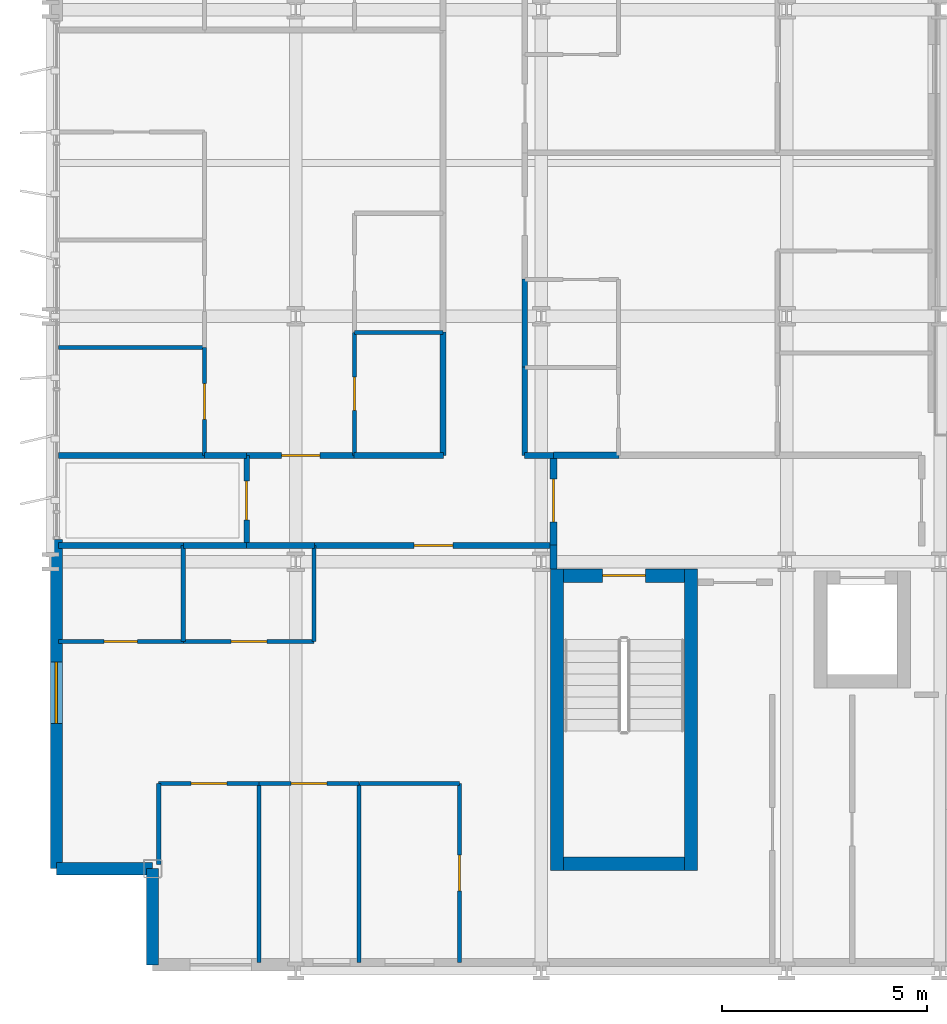
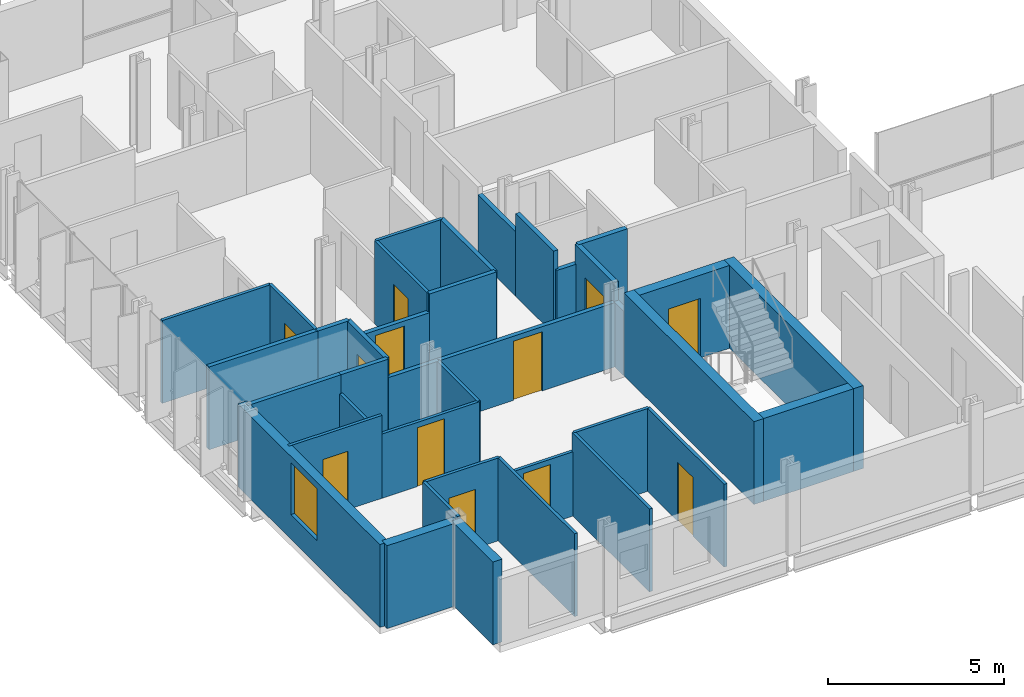
# One storey, part 27 of 38: 38 walls, 12 doors, 1 window, 13 openings.
"""IFC4 building model written with IfcOpenShell, lengths in metres."""

from ifc_helpers import new_model, si_unit, direction, frame, frame_2d, origin, place, context, subcontext, project, spatial, rectangle, extrude, material, layer, layer_set, type_object, element, fill, save


model = new_model("IFC4")

# Units and contexts
model_context = context("Model", 3, precision=1e-05, world=origin(), true_north=direction((0.0, 1.0)))
body_context = subcontext(model_context, "Body", "Model", "MODEL_VIEW")
ifc_project = project(units=[si_unit("LENGTHUNIT", "METRE"), si_unit("AREAUNIT", "SQUARE_METRE"), si_unit("VOLUMEUNIT", "CUBIC_METRE"), si_unit("PLANEANGLEUNIT", "RADIAN"), si_unit("MASSUNIT", "GRAM", prefix="KILO")], contexts=[model_context])

# Site, building, storey
site_placement = place(None, origin())
site = spatial("IfcSite", under=ifc_project, at=site_placement, CompositionType="ELEMENT")
building_placement = place(site_placement, origin())
building = spatial("IfcBuilding", under=site, at=building_placement, Name="Brevholm Reach", CompositionType="ELEMENT")
storey_placement = place(building_placement, frame((0.0, 0.0, 46.60009765625)))
storey = spatial("IfcBuildingStorey", under=building, at=storey_placement, Name="L12", CompositionType="ELEMENT", Elevation=46.60009765625)

# Walls
ifc_material_1 = material(Name="Concrete C60/75", Category="concrete")
ifc_layer_1 = layer(ifc_material_1, 0.320068359375)
ifc_layer_set_1 = layer_set([ifc_layer_1], Name="Concrete C60/75")
wall_type_1 = type_object("IfcWallType", Name="WAL-COR-320", PredefinedType="SHEAR", material=ifc_layer_set_1)
for number, where, z_axis, x_axis, name in (
    (1, (12.389892578125, 2.4599609375, 0.0), (0.0, 0.0, 1.0), (0.0, 1.0, 0.0), "L12 Escape Stair ST-1 Core Wall W"),
    (2, (15.659912109375, 2.4599609375, 0.0), (0.0, 0.0, 1.0), (0.0, 1.0, 0.0), "L12 Escape Stair ST-1 Core Wall E"),
):
    element("IfcWall", number, at=place(storey_placement, frame(where, z_axis=z_axis, x_axis=x_axis)), inside=storey, type_object=wall_type_1, Name=name, PredefinedType="SHEAR", context=body_context, shape_type="SweptSolid", body=[
        extrude(rectangle(XDim=7.360107421875, YDim=0.320068359375, at=frame_2d((3.68017578125, 0.0))), origin(), (0.0, 0.0, 1.0), 2.869873046875),
    ])
wall_1_placement = place(storey_placement, frame((12.550048828125, 2.6201171875, 0.0), z_axis=(0.0, 0.0, 1.0), x_axis=(1.0, 0.0, 0.0)))
element("IfcWall", 3, at=wall_1_placement, inside=storey, type_object=wall_type_1, Name="L12 Escape Stair ST-1 Core Wall S", PredefinedType="SHEAR", context=body_context, shape_type="SweptSolid", body=[
    extrude(rectangle(XDim=2.949951171875, YDim=0.320068359375, at=frame_2d((1.47509765625, 0.0))), origin(), (0.0, 0.0, 1.0), 2.869873046875),
])

# Wall, opening, door
wall_2_placement = place(storey_placement, frame((15.5, 9.659912109375, 0.0), z_axis=(0.0, 0.0, 1.0), x_axis=(-1.0, 0.0, 0.0)))
wall_2 = element("IfcWall", 4, at=wall_2_placement, inside=storey, type_object=wall_type_1, Name="L12 Escape Stair ST-1 Core Wall N", PredefinedType="SHEAR", context=body_context, shape_type="SweptSolid", body=[
    extrude(rectangle(XDim=2.949951171875, YDim=0.320068359375, at=frame_2d((1.47509765625, 0.0))), origin(), (0.0, 0.0, 1.0), 2.869873046875),
])
opening_1_placement = place(wall_2_placement, frame((0.949951171875, 0.0, 0.0)))
opening_1 = element("IfcOpeningElement", 5, at=opening_1_placement, cuts=wall_2, Name="Opening SD-ST-1", PredefinedType="OPENING", context=body_context, shape_type="SweptSolid", body=[
    extrude(rectangle(XDim=1.050048828125, YDim=2.06005859375, at=frame_2d((0.52490234375, 1.030029296875))), frame((0.0, 0.169921875, 0.0), z_axis=(0.0, -1.0, 0.0), x_axis=(1.0, 0.0, 0.0)), (0.0, 0.0, 1.0), 0.340087890625),
])
ifc_material_2 = material(Name="Hardwood-Lipped Steel-Core Fire and Smoke Door", Category="steel")
door_type_1 = type_object("IfcDoorType", Name="DOR-INT-FD60S", OperationType="NOTDEFINED", PredefinedType="DOOR", material=ifc_material_2)
door_1_placement = place(opening_1_placement, origin())
door_1 = element("IfcDoor", 6, at=door_1_placement, inside=storey, type_object=door_type_1, Name="L12 Protected Stair ST-1 Lobby Door", OperationType="SINGLE_SWING_RIGHT", OverallHeight=2.06005859375, OverallWidth=1.050048828125, PredefinedType="DOOR", context=body_context, shape_type="SweptSolid", body=[
    extrude(rectangle(XDim=1.050048828125, YDim=2.06005859375, at=frame_2d((0.52490234375, 1.030029296875))), frame((0.0, 0.02490234375, 0.0), z_axis=(0.0, -1.0, 0.0), x_axis=(1.0, 0.0, 0.0)), (0.0, 0.0, 1.0), 0.050048828125),
])
fill(opening_1, door_1)

# Walls
ifc_material_3 = material(Name="Concrete C40/50", Category="concrete")
ifc_layer_2 = layer(ifc_material_3, 0.300048828125)
ifc_layer_set_2 = layer_set([ifc_layer_2], Name="Concrete C40/50")
wall_type_2 = type_object("IfcWallType", Name="WAL-EXT-300", PredefinedType="STANDARD", material=ifc_layer_set_2)
for number, where, z_axis, x_axis, name in (
    (7, (2.5, 2.5, 0.0), (0.0, 0.0, 1.0), (0.0, -1.0, 0.0), "L12 Facade Wall WAL-L12-CSW1"),
    (8, (0.14990234375, 2.5, 0.0), (0.0, 0.0, 1.0), (1.0, 0.0, 0.0), "L12 Facade Wall WAL-L12-CSW2"),
):
    element("IfcWall", number, at=place(storey_placement, frame(where, z_axis=z_axis, x_axis=x_axis)), inside=storey, type_object=wall_type_2, Name=name, PredefinedType="STANDARD", context=body_context, shape_type="SweptSolid", body=[
        extrude(rectangle(XDim=2.35009765625, YDim=0.300048828125, at=frame_2d((1.175048828125, 0.0))), origin(), (0.0, 0.0, 1.0), 2.869873046875),
    ])

# Wall, opening, window
wall_3_placement = place(storey_placement, frame((0.14990234375, 10.550048828125, 0.0), z_axis=(0.0, 0.0, 1.0), x_axis=(0.0, -1.0, 0.0)))
wall_3 = element("IfcWall", 9, at=wall_3_placement, inside=storey, type_object=wall_type_2, Name="L12 Facade Wall WAL-L12-W-S", PredefinedType="STANDARD", context=body_context, shape_type="SweptSolid", body=[
    extrude(rectangle(XDim=8.050048828125, YDim=0.300048828125, at=frame_2d((4.02490234375, 0.0))), origin(), (0.0, 0.0, 1.0), 2.869873046875),
])
opening_2_placement = place(wall_3_placement, frame((3.0, 0.0, 0.85009765625)))
opening_2 = element("IfcOpeningElement", 10, at=opening_2_placement, cuts=wall_3, Name="Opening WN-05", PredefinedType="OPENING", context=body_context, shape_type="SweptSolid", body=[
    extrude(rectangle(XDim=1.5, YDim=1.800048828125, at=frame_2d((0.75, 0.89990234375))), frame((0.0, 0.159912109375, 0.0), z_axis=(0.0, -1.0, 0.0), x_axis=(1.0, 0.0, 0.0)), (0.0, 0.0, 1.0), 0.320068359375),
])
ifc_material_4 = material(Name="Dark Anodised Aluminium and Solar-Control IGU Glass", Category="aluminium")
window_type = type_object("IfcWindowType", Name="WIN-RES-1500", PartitioningType="SINGLE_PANEL", PredefinedType="WINDOW", material=ifc_material_4)
window_placement = place(opening_2_placement, origin())
window = element("IfcWindow", 11, at=window_placement, inside=storey, type_object=window_type, Name="L12 Window WIN-L12-WS-1", OverallHeight=1.800048828125, OverallWidth=1.5, PartitioningType="SINGLE_PANEL", PredefinedType="WINDOW", context=body_context, shape_type="SweptSolid", body=[
    extrude(rectangle(XDim=1.5, YDim=1.800048828125, at=frame_2d((0.75, 0.89990234375))), frame((0.0, 0.030029296875, 0.0), z_axis=(0.0, -1.0, 0.0), x_axis=(1.0, 0.0, 0.0)), (0.0, 0.0, 1.0), 0.06005859375),
])
fill(opening_2, window)

# Wall
ifc_material_5 = material(Name="Moisture-Resistant Acoustic Gypsum Stud Partition 100 mm", Category="gypsum")
ifc_layer_3 = layer(ifc_material_5, 0.10009765625)
ifc_layer_set_3 = layer_set([ifc_layer_3], Name="Moisture-Resistant Acoustic Gypsum Stud Partition 100 mm")
wall_type_3 = type_object("IfcWallType", Name="WAL-PRT-100", PredefinedType="PARTITIONING", material=ifc_layer_set_3)
wall_4_placement = place(storey_placement, frame((3.25, 8.053955078125, 0.0), z_axis=(0.0, 0.0, 1.0), x_axis=(0.0, 1.0, 0.0)))
element("IfcWall", 12, at=wall_4_placement, inside=storey, type_object=wall_type_3, Name="L12 Internal Partition 062", PredefinedType="PARTITIONING", context=body_context, shape_type="SweptSolid", body=[
    extrude(rectangle(XDim=2.345947265625, YDim=0.10009765625, at=frame_2d((1.1728515625, 0.0))), origin(), (0.0, 0.0, 1.0), 2.224609375),
])

# Wall, opening, door
wall_5_placement = place(storey_placement, frame((0.199951171875, 8.053955078125, 0.0), z_axis=(0.0, 0.0, 1.0), x_axis=(1.0, 0.0, 0.0)))
wall_5 = element("IfcWall", 13, at=wall_5_placement, inside=storey, type_object=wall_type_3, Name="L12 Internal Partition 063", PredefinedType="PARTITIONING", context=body_context, shape_type="SweptSolid", body=[
    extrude(rectangle(XDim=3.050048828125, YDim=0.10009765625, at=frame_2d((1.52490234375, 0.0))), origin(), (0.0, 0.0, 1.0), 2.869873046875),
])
opening_3_placement = place(wall_5_placement, frame((1.114990234375, 0.0, 0.0)))
opening_3 = element("IfcOpeningElement", 14, at=opening_3_placement, cuts=wall_5, Name="Opening ID-03", PredefinedType="OPENING", context=body_context, shape_type="SweptSolid", body=[
    extrude(rectangle(XDim=0.820068359375, YDim=2.02001953125, at=frame_2d((0.41015625, 1.010009765625))), frame((0.0, 0.06005859375, 0.0), z_axis=(0.0, -1.0, 0.0), x_axis=(1.0, 0.0, 0.0)), (0.0, 0.0, 1.0), 0.1201171875),
])
ifc_material_6 = material(Name="Moisture-Resistant Painted Timber Internal Bathroom Door", Category="wood")
door_type_2 = type_object("IfcDoorType", Name="DOR-BATH-820", OperationType="NOTDEFINED", PredefinedType="DOOR", material=ifc_material_6)
door_2_placement = place(opening_3_placement, origin())
door_2 = element("IfcDoor", 15, at=door_2_placement, inside=storey, type_object=door_type_2, Name="L12 Internal Door 022", OperationType="SINGLE_SWING_RIGHT", OverallHeight=2.02001953125, OverallWidth=0.820068359375, PredefinedType="DOOR", context=body_context, shape_type="SweptSolid", body=[
    extrude(rectangle(XDim=0.820068359375, YDim=2.02001953125, at=frame_2d((0.41015625, 1.010009765625))), frame((0.0, 0.02490234375, 0.0), z_axis=(0.0, -1.0, 0.0), x_axis=(1.0, 0.0, 0.0)), (0.0, 0.0, 1.0), 0.050048828125),
])
fill(opening_3, door_2)

wall_6_placement = place(storey_placement, frame((3.25390625, 8.053955078125, 0.0), z_axis=(0.0, 0.0, 1.0), x_axis=(1.0, 0.0, 0.0)))
wall_6 = element("IfcWall", 16, at=wall_6_placement, inside=storey, type_object=wall_type_3, Name="L12 Internal Partition 065", PredefinedType="PARTITIONING", context=body_context, shape_type="SweptSolid", body=[
    extrude(rectangle(XDim=3.196044921875, YDim=0.10009765625, at=frame_2d((1.59814453125, 0.0))), origin(), (0.0, 0.0, 1.0), 2.224609375),
])
opening_4_placement = place(wall_6_placement, frame((1.157958984375, 0.0, 0.0)))
opening_4 = element("IfcOpeningElement", 17, at=opening_4_placement, cuts=wall_6, Name="Opening ID-01", PredefinedType="OPENING", context=body_context, shape_type="SweptSolid", body=[
    extrude(rectangle(XDim=0.8798828125, YDim=2.0400390625, at=frame_2d((0.43994140625, 1.02001953125))), frame((0.0, 0.06005859375, 0.0), z_axis=(0.0, -1.0, 0.0), x_axis=(1.0, 0.0, 0.0)), (0.0, 0.0, 1.0), 0.1201171875),
])
ifc_material_7 = material(Name="Lacquered Ash Solid-Core Acoustic Internal Door", Category="timber")
door_type_3 = type_object("IfcDoorType", Name="DOR-INT-880", OperationType="NOTDEFINED", PredefinedType="DOOR", material=ifc_material_7)
door_3_placement = place(opening_4_placement, origin())
door_3 = element("IfcDoor", 18, at=door_3_placement, inside=storey, type_object=door_type_3, Name="L12 Internal Door 023", OperationType="SINGLE_SWING_LEFT", OverallHeight=2.0400390625, OverallWidth=0.8798828125, PredefinedType="DOOR", context=body_context, shape_type="SweptSolid", body=[
    extrude(rectangle(XDim=0.8798828125, YDim=2.0400390625, at=frame_2d((0.43994140625, 1.02001953125))), frame((0.0, 0.02490234375, 0.0), z_axis=(0.0, -1.0, 0.0), x_axis=(1.0, 0.0, 0.0)), (0.0, 0.0, 1.0), 0.050048828125),
])
fill(opening_4, door_3)

# Walls
wall_7_placement = place(storey_placement, frame((6.449951171875, 8.053955078125, 0.0), z_axis=(0.0, 0.0, 1.0), x_axis=(0.0, 1.0, 0.0)))
element("IfcWall", 19, at=wall_7_placement, inside=storey, type_object=wall_type_3, Name="L12 Internal Partition 066", PredefinedType="PARTITIONING", context=body_context, shape_type="SweptSolid", body=[
    extrude(rectangle(XDim=2.342041015625, YDim=0.10009765625, at=frame_2d((1.1708984375, 0.0))), origin(), (0.0, 0.0, 1.0), 2.224609375),
])
wall_8_placement = place(storey_placement, frame((5.10009765625, 0.199951171875, 0.0), z_axis=(0.0, 0.0, 1.0), x_axis=(0.0, 1.0, 0.0)))
element("IfcWall", 20, at=wall_8_placement, inside=storey, type_object=wall_type_3, Name="L12 Internal Partition 068", PredefinedType="PARTITIONING", context=body_context, shape_type="SweptSolid", body=[
    extrude(rectangle(XDim=4.385986328125, YDim=0.10009765625, at=frame_2d((2.19287109375, 0.0))), origin(), (0.0, 0.0, 1.0), 2.869873046875),
])
wall_9_placement = place(storey_placement, frame((2.64990234375, 2.599365234375, 0.0), z_axis=(0.0, 0.0, 1.0), x_axis=(0.0, 1.0, 0.0)))
element("IfcWall", 21, at=wall_9_placement, inside=storey, type_object=wall_type_3, Name="L12 Internal Partition 069", PredefinedType="PARTITIONING", context=body_context, shape_type="SweptSolid", body=[
    extrude(rectangle(XDim=1.986572265625, YDim=0.10009765625, at=frame_2d((0.9931640625, 0.0))), origin(), (0.0, 0.0, 1.0), 2.869873046875),
])

# Wall, opening, door
wall_10_placement = place(storey_placement, frame((2.64990234375, 4.5859375, 0.0), z_axis=(0.0, 0.0, 1.0), x_axis=(1.0, 0.0, 0.0)))
wall_10 = element("IfcWall", 22, at=wall_10_placement, inside=storey, type_object=wall_type_3, Name="L12 Internal Partition 070", PredefinedType="PARTITIONING", context=body_context, shape_type="SweptSolid", body=[
    extrude(rectangle(XDim=2.4501953125, YDim=0.10009765625, at=frame_2d((1.22509765625, 0.0))), origin(), (0.0, 0.0, 1.0), 2.869873046875),
])
opening_5_placement = place(wall_10_placement, frame((0.784912109375, 0.0, 0.0)))
opening_5 = element("IfcOpeningElement", 23, at=opening_5_placement, cuts=wall_10, Name="Opening ID-01", PredefinedType="OPENING", context=body_context, shape_type="SweptSolid", body=[
    extrude(rectangle(XDim=0.8798828125, YDim=2.0400390625, at=frame_2d((0.43994140625, 1.02001953125))), frame((0.0, 0.06005859375, 0.0), z_axis=(0.0, -1.0, 0.0), x_axis=(1.0, 0.0, 0.0)), (0.0, 0.0, 1.0), 0.1201171875),
])
door_4_placement = place(opening_5_placement, origin())
door_4 = element("IfcDoor", 24, at=door_4_placement, inside=storey, type_object=door_type_3, Name="L12 Internal Door 024", OperationType="SINGLE_SWING_RIGHT", OverallHeight=2.0400390625, OverallWidth=0.8798828125, PredefinedType="DOOR", context=body_context, shape_type="SweptSolid", body=[
    extrude(rectangle(XDim=0.8798828125, YDim=2.0400390625, at=frame_2d((0.43994140625, 1.02001953125))), frame((0.0, 0.02490234375, 0.0), z_axis=(0.0, -1.0, 0.0), x_axis=(1.0, 0.0, 0.0)), (0.0, 0.0, 1.0), 0.050048828125),
])
fill(opening_5, door_4)

# Wall
wall_11_placement = place(storey_placement, frame((7.550048828125, 0.199951171875, 0.0), z_axis=(0.0, 0.0, 1.0), x_axis=(0.0, 1.0, 0.0)))
element("IfcWall", 25, at=wall_11_placement, inside=storey, type_object=wall_type_3, Name="L12 Internal Partition 071", PredefinedType="PARTITIONING", context=body_context, shape_type="SweptSolid", body=[
    extrude(rectangle(XDim=4.385986328125, YDim=0.10009765625, at=frame_2d((2.19287109375, 0.0))), origin(), (0.0, 0.0, 1.0), 2.869873046875),
])

# Wall, opening, door
wall_12_placement = place(storey_placement, frame((5.10400390625, 4.5859375, 0.0), z_axis=(0.0, 0.0, 1.0), x_axis=(1.0, 0.0, 0.0)))
wall_12 = element("IfcWall", 26, at=wall_12_placement, inside=storey, type_object=wall_type_3, Name="L12 Internal Partition 072", PredefinedType="PARTITIONING", context=body_context, shape_type="SweptSolid", body=[
    extrude(rectangle(XDim=2.446044921875, YDim=0.10009765625, at=frame_2d((1.22314453125, 0.0))), origin(), (0.0, 0.0, 1.0), 2.224609375),
])
opening_6_placement = place(wall_12_placement, frame((0.782958984375, 0.0, 0.0)))
opening_6 = element("IfcOpeningElement", 27, at=opening_6_placement, cuts=wall_12, Name="Opening ID-01", PredefinedType="OPENING", context=body_context, shape_type="SweptSolid", body=[
    extrude(rectangle(XDim=0.8798828125, YDim=2.0400390625, at=frame_2d((0.43994140625, 1.02001953125))), frame((0.0, 0.06005859375, 0.0), z_axis=(0.0, -1.0, 0.0), x_axis=(1.0, 0.0, 0.0)), (0.0, 0.0, 1.0), 0.1201171875),
])
door_5_placement = place(opening_6_placement, origin())
door_5 = element("IfcDoor", 28, at=door_5_placement, inside=storey, type_object=door_type_3, Name="L12 Internal Door 025", OperationType="SINGLE_SWING_LEFT", OverallHeight=2.0400390625, OverallWidth=0.8798828125, PredefinedType="DOOR", context=body_context, shape_type="SweptSolid", body=[
    extrude(rectangle(XDim=0.8798828125, YDim=2.0400390625, at=frame_2d((0.43994140625, 1.02001953125))), frame((0.0, 0.02490234375, 0.0), z_axis=(0.0, -1.0, 0.0), x_axis=(1.0, 0.0, 0.0)), (0.0, 0.0, 1.0), 0.050048828125),
])
fill(opening_6, door_5)

wall_13_placement = place(storey_placement, frame((10.0, 0.199951171875, 0.0), z_axis=(0.0, 0.0, 1.0), x_axis=(0.0, 1.0, 0.0)))
wall_13 = element("IfcWall", 29, at=wall_13_placement, inside=storey, type_object=wall_type_3, Name="L12 Internal Partition 073", PredefinedType="PARTITIONING", context=body_context, shape_type="SweptSolid", body=[
    extrude(rectangle(XDim=4.385986328125, YDim=0.10009765625, at=frame_2d((2.19287109375, 0.0))), origin(), (0.0, 0.0, 1.0), 2.869873046875),
])
opening_7_placement = place(wall_13_placement, frame((1.7529296875, 0.0, 0.0)))
opening_7 = element("IfcOpeningElement", 30, at=opening_7_placement, cuts=wall_13, Name="Opening ID-01", PredefinedType="OPENING", context=body_context, shape_type="SweptSolid", body=[
    extrude(rectangle(XDim=0.8798828125, YDim=2.0400390625, at=frame_2d((0.43994140625, 1.02001953125))), frame((0.0, 0.06005859375, 0.0), z_axis=(0.0, -1.0, 0.0), x_axis=(1.0, 0.0, 0.0)), (0.0, 0.0, 1.0), 0.1201171875),
])
door_6_placement = place(opening_7_placement, origin())
door_6 = element("IfcDoor", 31, at=door_6_placement, inside=storey, type_object=door_type_3, Name="L12 Internal Door 026", OperationType="SINGLE_SWING_RIGHT", OverallHeight=2.0400390625, OverallWidth=0.8798828125, PredefinedType="DOOR", context=body_context, shape_type="SweptSolid", body=[
    extrude(rectangle(XDim=0.8798828125, YDim=2.0400390625, at=frame_2d((0.43994140625, 1.02001953125))), frame((0.0, 0.02490234375, 0.0), z_axis=(0.0, -1.0, 0.0), x_axis=(1.0, 0.0, 0.0)), (0.0, 0.0, 1.0), 0.050048828125),
])
fill(opening_7, door_6)

# Walls
wall_14_placement = place(storey_placement, frame((7.553955078125, 4.5859375, 0.0), z_axis=(0.0, 0.0, 1.0), x_axis=(1.0, 0.0, 0.0)))
element("IfcWall", 32, at=wall_14_placement, inside=storey, type_object=wall_type_3, Name="L12 Internal Partition 074", PredefinedType="PARTITIONING", context=body_context, shape_type="SweptSolid", body=[
    extrude(rectangle(XDim=2.446044921875, YDim=0.10009765625, at=frame_2d((1.22314453125, 0.0))), origin(), (0.0, 0.0, 1.0), 2.869873046875),
])
wall_15_placement = place(storey_placement, frame((7.43798828125, 15.60791015625, 0.0), z_axis=(0.0, 0.0, 1.0), x_axis=(1.0, 0.0, 0.0)))
element("IfcWall", 33, at=wall_15_placement, inside=storey, type_object=wall_type_3, Name="L12 Internal Partition 089", PredefinedType="PARTITIONING", context=body_context, shape_type="SweptSolid", body=[
    extrude(rectangle(XDim=2.157958984375, YDim=0.10009765625, at=frame_2d((1.0791015625, 0.0))), origin(), (0.0, 0.0, 1.0), 2.869873046875),
])

# Wall, opening, door
wall_16_placement = place(storey_placement, frame((7.43798828125, 12.60400390625, 0.0), z_axis=(0.0, 0.0, 1.0), x_axis=(0.0, 1.0, 0.0)))
wall_16 = element("IfcWall", 34, at=wall_16_placement, inside=storey, type_object=wall_type_3, Name="L12 Internal Partition 090", PredefinedType="PARTITIONING", context=body_context, shape_type="SweptSolid", body=[
    extrude(rectangle(XDim=3.00390625, YDim=0.10009765625, at=frame_2d((1.501953125, 0.0))), origin(), (0.0, 0.0, 1.0), 2.869873046875),
])
opening_8_placement = place(wall_16_placement, frame((1.092041015625, 0.0, 0.0)))
opening_8 = element("IfcOpeningElement", 35, at=opening_8_placement, cuts=wall_16, Name="Opening ID-03", PredefinedType="OPENING", context=body_context, shape_type="SweptSolid", body=[
    extrude(rectangle(XDim=0.820068359375, YDim=2.02001953125, at=frame_2d((0.41015625, 1.010009765625))), frame((0.0, 0.06005859375, 0.0), z_axis=(0.0, -1.0, 0.0), x_axis=(1.0, 0.0, 0.0)), (0.0, 0.0, 1.0), 0.1201171875),
])
door_7_placement = place(opening_8_placement, origin())
door_7 = element("IfcDoor", 36, at=door_7_placement, inside=storey, type_object=door_type_2, Name="L12 Internal Door 031", OperationType="SINGLE_SWING_LEFT", OverallHeight=2.02001953125, OverallWidth=0.820068359375, PredefinedType="DOOR", context=body_context, shape_type="SweptSolid", body=[
    extrude(rectangle(XDim=0.820068359375, YDim=2.02001953125, at=frame_2d((0.41015625, 1.010009765625))), frame((0.0, 0.02490234375, 0.0), z_axis=(0.0, -1.0, 0.0), x_axis=(1.0, 0.0, 0.0)), (0.0, 0.0, 1.0), 0.050048828125),
])
fill(opening_8, door_7)

# Wall
wall_17_placement = place(storey_placement, frame((0.199951171875, 15.235107421875, 0.0), z_axis=(0.0, 0.0, 1.0), x_axis=(1.0, 0.0, 0.0)))
element("IfcWall", 37, at=wall_17_placement, inside=storey, type_object=wall_type_3, Name="L12 Internal Partition 093", PredefinedType="PARTITIONING", context=body_context, shape_type="SweptSolid", body=[
    extrude(rectangle(XDim=3.572021484375, YDim=0.10009765625, at=frame_2d((1.7861328125, 0.0))), origin(), (0.0, 0.0, 1.0), 2.869873046875),
])

# Wall, opening, door
wall_18_placement = place(storey_placement, frame((3.77197265625, 12.60400390625, 0.0), z_axis=(0.0, 0.0, 1.0), x_axis=(0.0, 1.0, 0.0)))
wall_18 = element("IfcWall", 38, at=wall_18_placement, inside=storey, type_object=wall_type_3, Name="L12 Internal Partition 094", PredefinedType="PARTITIONING", context=body_context, shape_type="SweptSolid", body=[
    extrude(rectangle(XDim=2.631103515625, YDim=0.10009765625, at=frame_2d((1.3154296875, 0.0))), origin(), (0.0, 0.0, 1.0), 2.869873046875),
])
opening_9_placement = place(wall_18_placement, frame((0.87548828125, 0.0, 0.0)))
opening_9 = element("IfcOpeningElement", 39, at=opening_9_placement, cuts=wall_18, Name="Opening ID-01", PredefinedType="OPENING", context=body_context, shape_type="SweptSolid", body=[
    extrude(rectangle(XDim=0.8798828125, YDim=2.0400390625, at=frame_2d((0.43994140625, 1.02001953125))), frame((0.0, 0.06005859375, 0.0), z_axis=(0.0, -1.0, 0.0), x_axis=(1.0, 0.0, 0.0)), (0.0, 0.0, 1.0), 0.1201171875),
])
door_8_placement = place(opening_9_placement, origin())
door_8 = element("IfcDoor", 40, at=door_8_placement, inside=storey, type_object=door_type_3, Name="L12 Internal Door 033", OperationType="SINGLE_SWING_LEFT", OverallHeight=2.0400390625, OverallWidth=0.8798828125, PredefinedType="DOOR", context=body_context, shape_type="SweptSolid", body=[
    extrude(rectangle(XDim=0.8798828125, YDim=2.0400390625, at=frame_2d((0.43994140625, 1.02001953125))), frame((0.0, 0.02490234375, 0.0), z_axis=(0.0, -1.0, 0.0), x_axis=(1.0, 0.0, 0.0)), (0.0, 0.0, 1.0), 0.050048828125),
])
fill(opening_9, door_8)

# Wall
ifc_material_8 = material(Name="Twin-Stud Acoustic Fire-Rated Gypsum Partition 140 mm", Category="gypsum")
ifc_layer_4 = layer(ifc_material_8, 0.139892578125)
ifc_layer_set_4 = layer_set([ifc_layer_4], Name="Twin-Stud Acoustic Fire-Rated Gypsum Partition 140 mm")
wall_type_4 = type_object("IfcWallType", Name="WAL-PRT-140", PredefinedType="PARTITIONING", material=ifc_layer_set_4)
wall_19_placement = place(storey_placement, frame((4.800048828125, 10.39990234375, 0.0), z_axis=(0.0, 0.0, 1.0), x_axis=(1.0, 0.0, 0.0)))
element("IfcWall", 41, at=wall_19_placement, inside=storey, type_object=wall_type_4, Name="L12 Internal Partition 025", PredefinedType="PARTITIONING", context=body_context, shape_type="SweptSolid", body=[
    extrude(rectangle(XDim=1.6611328125, YDim=0.139892578125, at=frame_2d((0.83056640625, 0.0))), origin(), (0.0, 0.0, 1.0), 2.224609375),
])

# Wall, opening, door
wall_20_placement = place(storey_placement, frame((6.442626953125, 10.39990234375, 0.0), z_axis=(0.0, 0.0, 1.0), x_axis=(1.0, 0.0, 0.0)))
wall_20 = element("IfcWall", 42, at=wall_20_placement, inside=storey, type_object=wall_type_4, Name="L12 Internal Partition 026", PredefinedType="PARTITIONING", context=body_context, shape_type="SweptSolid", body=[
    extrude(rectangle(XDim=5.853271484375, YDim=0.139892578125, at=frame_2d((2.9267578125, 0.0))), origin(), (0.0, 0.0, 1.0), 2.224609375),
])
opening_10_placement = place(wall_20_placement, frame((2.45166015625, 0.0, 0.0)))
opening_10 = element("IfcOpeningElement", 43, at=opening_10_placement, cuts=wall_20, Name="Opening ID-30", PredefinedType="OPENING", context=body_context, shape_type="SweptSolid", body=[
    extrude(rectangle(XDim=0.949951171875, YDim=2.050048828125, at=frame_2d((0.47509765625, 1.02490234375))), frame((0.0, 0.079833984375, 0.0), z_axis=(0.0, -1.0, 0.0), x_axis=(1.0, 0.0, 0.0)), (0.0, 0.0, 1.0), 0.159912109375),
])
ifc_material_9 = material(Name="European Oak Veneered Solid-Core Fire Entrance Door", Category="timber")
door_type_4 = type_object("IfcDoorType", Name="DOR-FLT-FD30S", OperationType="NOTDEFINED", PredefinedType="DOOR", material=ifc_material_9)
door_9_placement = place(opening_10_placement, origin())
door_9 = element("IfcDoor", 44, at=door_9_placement, inside=storey, type_object=door_type_4, Name="L12 Internal Door 012", OperationType="SINGLE_SWING_RIGHT", OverallHeight=2.050048828125, OverallWidth=0.949951171875, PredefinedType="DOOR", context=body_context, shape_type="SweptSolid", body=[
    extrude(rectangle(XDim=0.949951171875, YDim=2.050048828125, at=frame_2d((0.47509765625, 1.02490234375))), frame((0.0, 0.02490234375, 0.0), z_axis=(0.0, -1.0, 0.0), x_axis=(1.0, 0.0, 0.0)), (0.0, 0.0, 1.0), 0.050048828125),
])
fill(opening_10, door_9)

wall_21_placement = place(storey_placement, frame((4.800048828125, 10.39990234375, 0.0), z_axis=(0.0, 0.0, 1.0), x_axis=(0.0, 1.0, 0.0)))
wall_21 = element("IfcWall", 45, at=wall_21_placement, inside=storey, type_object=wall_type_4, Name="L12 Internal Partition 027", PredefinedType="PARTITIONING", context=body_context, shape_type="SweptSolid", body=[
    extrude(rectangle(XDim=2.2001953125, YDim=0.139892578125, at=frame_2d((1.10009765625, 0.0))), origin(), (0.0, 0.0, 1.0), 2.869873046875),
])
opening_11_placement = place(wall_21_placement, frame((0.625, 0.0, 0.0)))
opening_11 = element("IfcOpeningElement", 46, at=opening_11_placement, cuts=wall_21, Name="Opening ID-30", PredefinedType="OPENING", context=body_context, shape_type="SweptSolid", body=[
    extrude(rectangle(XDim=0.949951171875, YDim=2.050048828125, at=frame_2d((0.47509765625, 1.02490234375))), frame((0.0, 0.079833984375, 0.0), z_axis=(0.0, -1.0, 0.0), x_axis=(1.0, 0.0, 0.0)), (0.0, 0.0, 1.0), 0.159912109375),
])
door_10_placement = place(opening_11_placement, origin())
door_10 = element("IfcDoor", 47, at=door_10_placement, inside=storey, type_object=door_type_4, Name="L12 Internal Door 013", OperationType="SINGLE_SWING_LEFT", OverallHeight=2.050048828125, OverallWidth=0.949951171875, PredefinedType="DOOR", context=body_context, shape_type="SweptSolid", body=[
    extrude(rectangle(XDim=0.949951171875, YDim=2.050048828125, at=frame_2d((0.47509765625, 1.02490234375))), frame((0.0, 0.02490234375, 0.0), z_axis=(0.0, -1.0, 0.0), x_axis=(1.0, 0.0, 0.0)), (0.0, 0.0, 1.0), 0.050048828125),
])
fill(opening_11, door_10)

# Wall
wall_22_placement = place(storey_placement, frame((7.4267578125, 12.60009765625, 0.0), z_axis=(0.0, 0.0, 1.0), x_axis=(1.0, 0.0, 0.0)))
element("IfcWall", 48, at=wall_22_placement, inside=storey, type_object=wall_type_4, Name="L12 Internal Partition 028", PredefinedType="PARTITIONING", context=body_context, shape_type="SweptSolid", body=[
    extrude(rectangle(XDim=2.1806640625, YDim=0.139892578125, at=frame_2d((1.09033203125, 0.0))), origin(), (0.0, 0.0, 1.0), 2.869873046875),
])

# Wall, opening, door
wall_23_placement = place(storey_placement, frame((4.800048828125, 12.60009765625, 0.0), z_axis=(0.0, 0.0, 1.0), x_axis=(1.0, 0.0, 0.0)))
wall_23 = element("IfcWall", 49, at=wall_23_placement, inside=storey, type_object=wall_type_4, Name="L12 Internal Partition 029", PredefinedType="PARTITIONING", context=body_context, shape_type="SweptSolid", body=[
    extrude(rectangle(XDim=2.645263671875, YDim=0.139892578125, at=frame_2d((1.32275390625, 0.0))), origin(), (0.0, 0.0, 1.0), 2.224609375),
])
opening_12_placement = place(wall_23_placement, frame((0.84765625, 0.0, 0.0)))
opening_12 = element("IfcOpeningElement", 50, at=opening_12_placement, cuts=wall_23, Name="Opening ID-30", PredefinedType="OPENING", context=body_context, shape_type="SweptSolid", body=[
    extrude(rectangle(XDim=0.949951171875, YDim=2.050048828125, at=frame_2d((0.47509765625, 1.02490234375))), frame((0.0, 0.079833984375, 0.0), z_axis=(0.0, -1.0, 0.0), x_axis=(1.0, 0.0, 0.0)), (0.0, 0.0, 1.0), 0.159912109375),
])
door_11_placement = place(opening_12_placement, origin())
door_11 = element("IfcDoor", 51, at=door_11_placement, inside=storey, type_object=door_type_4, Name="L12 Internal Door 014", OperationType="SINGLE_SWING_RIGHT", OverallHeight=2.050048828125, OverallWidth=0.949951171875, PredefinedType="DOOR", context=body_context, shape_type="SweptSolid", body=[
    extrude(rectangle(XDim=0.949951171875, YDim=2.050048828125, at=frame_2d((0.47509765625, 1.02490234375))), frame((0.0, 0.02490234375, 0.0), z_axis=(0.0, -1.0, 0.0), x_axis=(1.0, 0.0, 0.0)), (0.0, 0.0, 1.0), 0.050048828125),
])
fill(opening_12, door_11)

# Walls
wall_24_placement = place(storey_placement, frame((11.5927734375, 12.60009765625, 0.0), z_axis=(0.0, 0.0, 1.0), x_axis=(1.0, 0.0, 0.0)))
element("IfcWall", 52, at=wall_24_placement, inside=storey, type_object=wall_type_4, Name="L12 Internal Partition 030", PredefinedType="PARTITIONING", context=body_context, shape_type="SweptSolid", body=[
    extrude(rectangle(XDim=0.703125, YDim=0.139892578125, at=frame_2d((0.3515625, 0.0))), origin(), (0.0, 0.0, 1.0), 2.224609375),
])
wall_25_placement = place(storey_placement, frame((9.60009765625, 12.60400390625, 0.0), z_axis=(0.0, 0.0, 1.0), x_axis=(0.0, 1.0, 0.0)))
element("IfcWall", 53, at=wall_25_placement, inside=storey, type_object=wall_type_4, Name="L12 Internal Partition 034", PredefinedType="PARTITIONING", context=body_context, shape_type="SweptSolid", body=[
    extrude(rectangle(XDim=3.015380859375, YDim=0.139892578125, at=frame_2d((1.5078125, 0.0))), origin(), (0.0, 0.0, 1.0), 2.869873046875),
])
wall_26_placement = place(storey_placement, frame((11.60009765625, 12.60400390625, 0.0), z_axis=(0.0, 0.0, 1.0), x_axis=(0.0, 1.0, 0.0)))
element("IfcWall", 54, at=wall_26_placement, inside=storey, type_object=wall_type_4, Name="L12 Internal Partition 040", PredefinedType="PARTITIONING", context=body_context, shape_type="SweptSolid", body=[
    extrude(rectangle(XDim=2.1572265625, YDim=0.139892578125, at=frame_2d((1.07861328125, 0.0))), origin(), (0.0, 0.0, 1.0), 2.869873046875),
])
wall_27_placement = place(storey_placement, frame((11.60009765625, 14.74267578125, 0.0), z_axis=(0.0, 0.0, 1.0), x_axis=(0.0, 1.0, 0.0)))
element("IfcWall", 55, at=wall_27_placement, inside=storey, type_object=wall_type_4, Name="L12 Internal Partition 041", PredefinedType="PARTITIONING", context=body_context, shape_type="SweptSolid", body=[
    extrude(rectangle(XDim=2.168701171875, YDim=0.139892578125, at=frame_2d((1.08447265625, 0.0))), origin(), (0.0, 0.0, 1.0), 2.224609375),
])
wall_28_placement = place(storey_placement, frame((0.199951171875, 10.39990234375, 0.0), z_axis=(0.0, 0.0, 1.0), x_axis=(1.0, 0.0, 0.0)))
element("IfcWall", 56, at=wall_28_placement, inside=storey, type_object=wall_type_4, Name="L12 Internal Partition 064", PredefinedType="PARTITIONING", context=body_context, shape_type="SweptSolid", body=[
    extrude(rectangle(XDim=3.050048828125, YDim=0.139892578125, at=frame_2d((1.52490234375, 0.0))), origin(), (0.0, 0.0, 1.0), 2.869873046875),
])
wall_29_placement = place(storey_placement, frame((3.25390625, 10.39990234375, 0.0), z_axis=(0.0, 0.0, 1.0), x_axis=(1.0, 0.0, 0.0)))
element("IfcWall", 57, at=wall_29_placement, inside=storey, type_object=wall_type_4, Name="L12 Internal Partition 067", PredefinedType="PARTITIONING", context=body_context, shape_type="SweptSolid", body=[
    extrude(rectangle(XDim=1.5419921875, YDim=0.139892578125, at=frame_2d((0.77099609375, 0.0))), origin(), (0.0, 0.0, 1.0), 2.869873046875),
])
wall_30_placement = place(storey_placement, frame((0.199951171875, 12.60009765625, 0.0), z_axis=(0.0, 0.0, 1.0), x_axis=(1.0, 0.0, 0.0)))
element("IfcWall", 58, at=wall_30_placement, inside=storey, type_object=wall_type_4, Name="L12 Internal Partition 075", PredefinedType="PARTITIONING", context=body_context, shape_type="SweptSolid", body=[
    extrude(rectangle(XDim=3.583251953125, YDim=0.139892578125, at=frame_2d((1.79150390625, 0.0))), origin(), (0.0, 0.0, 1.0), 2.869873046875),
])
wall_31_placement = place(storey_placement, frame((3.7646484375, 12.60009765625, 0.0), z_axis=(0.0, 0.0, 1.0), x_axis=(1.0, 0.0, 0.0)))
element("IfcWall", 59, at=wall_31_placement, inside=storey, type_object=wall_type_4, Name="L12 Internal Partition 076", PredefinedType="PARTITIONING", context=body_context, shape_type="SweptSolid", body=[
    extrude(rectangle(XDim=1.03125, YDim=0.139892578125, at=frame_2d((0.515625, 0.0))), origin(), (0.0, 0.0, 1.0), 2.869873046875),
])

# Wall, opening, door
ifc_material_10 = material(Name="Twin-Frame Fire-Rated Gypsum Board and Mineral Wool 160 mm", Category="gypsum")
ifc_layer_5 = layer(ifc_material_10, 0.159912109375)
ifc_layer_set_5 = layer_set([ifc_layer_5], Name="Twin-Frame Fire-Rated Gypsum Board and Mineral Wool 160 mm")
wall_type_5 = type_object("IfcWallType", Name="WAL-PRT-160", PredefinedType="PARTITIONING", material=ifc_layer_set_5)
wall_32_placement = place(storey_placement, frame((12.300048828125, 10.388671875, 0.0), z_axis=(0.0, 0.0, 1.0), x_axis=(0.0, 1.0, 0.0)))
wall_32 = element("IfcWall", 60, at=wall_32_placement, inside=storey, type_object=wall_type_5, Name="L12 Internal Partition 014", PredefinedType="PARTITIONING", context=body_context, shape_type="SweptSolid", body=[
    extrude(rectangle(XDim=2.21142578125, YDim=0.159912109375, at=frame_2d((1.105712890625, 0.0))), origin(), (0.0, 0.0, 1.0), 2.869873046875),
])
opening_13_placement = place(wall_32_placement, frame((0.58056640625, 0.0, 0.0)))
opening_13 = element("IfcOpeningElement", 61, at=opening_13_placement, cuts=wall_32, Name="Opening FD-01", PredefinedType="OPENING", context=body_context, shape_type="SweptSolid", body=[
    extrude(rectangle(XDim=1.050048828125, YDim=2.06005859375, at=frame_2d((0.52490234375, 1.030029296875))), frame((0.0, 0.08984375, 0.0), z_axis=(0.0, -1.0, 0.0), x_axis=(1.0, 0.0, 0.0)), (0.0, 0.0, 1.0), 0.179931640625),
])
door_12_placement = place(opening_13_placement, origin())
door_12 = element("IfcDoor", 62, at=door_12_placement, inside=storey, type_object=door_type_1, Name="L12 Internal Door 008", OperationType="SINGLE_SWING_RIGHT", OverallHeight=2.06005859375, OverallWidth=1.050048828125, PredefinedType="DOOR", context=body_context, shape_type="SweptSolid", body=[
    extrude(rectangle(XDim=1.050048828125, YDim=2.06005859375, at=frame_2d((0.52490234375, 1.030029296875))), frame((0.0, 0.02490234375, 0.0), z_axis=(0.0, -1.0, 0.0), x_axis=(1.0, 0.0, 0.0)), (0.0, 0.0, 1.0), 0.050048828125),
])
fill(opening_13, door_12)

# Walls
wall_33_placement = place(storey_placement, frame((12.300048828125, 9.830078125, 0.0), z_axis=(0.0, 0.0, 1.0), x_axis=(0.0, 1.0, 0.0)))
element("IfcWall", 63, at=wall_33_placement, inside=storey, type_object=wall_type_5, Name="L12 Internal Partition 016", PredefinedType="PARTITIONING", context=body_context, shape_type="SweptSolid", body=[
    extrude(rectangle(XDim=0.5771484375, YDim=0.159912109375, at=frame_2d((0.28857421875, 0.0))), origin(), (0.0, 0.0, 1.0), 2.224609375),
])
wall_34_placement = place(storey_placement, frame((12.300048828125, 12.60009765625, 0.0), z_axis=(0.0, 0.0, 1.0), x_axis=(1.0, 0.0, 0.0)))
element("IfcWall", 64, at=wall_34_placement, inside=storey, type_object=wall_type_5, Name="L12 Internal Partition 017", PredefinedType="PARTITIONING", context=body_context, shape_type="SweptSolid", body=[
    extrude(rectangle(XDim=1.600341796875, YDim=0.159912109375, at=frame_2d((0.80029296875, 0.0))), origin(), (0.0, 0.0, 1.0), 2.869873046875),
])

save(model, "model.ifc")
